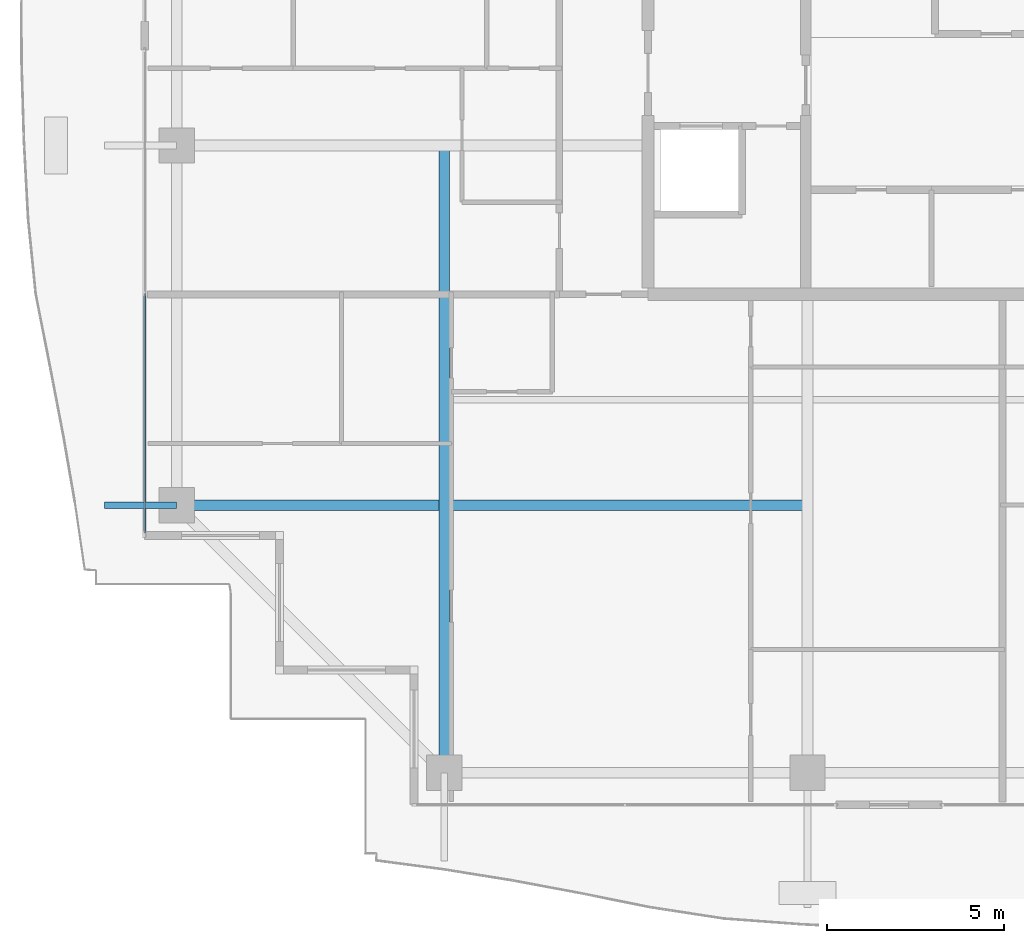
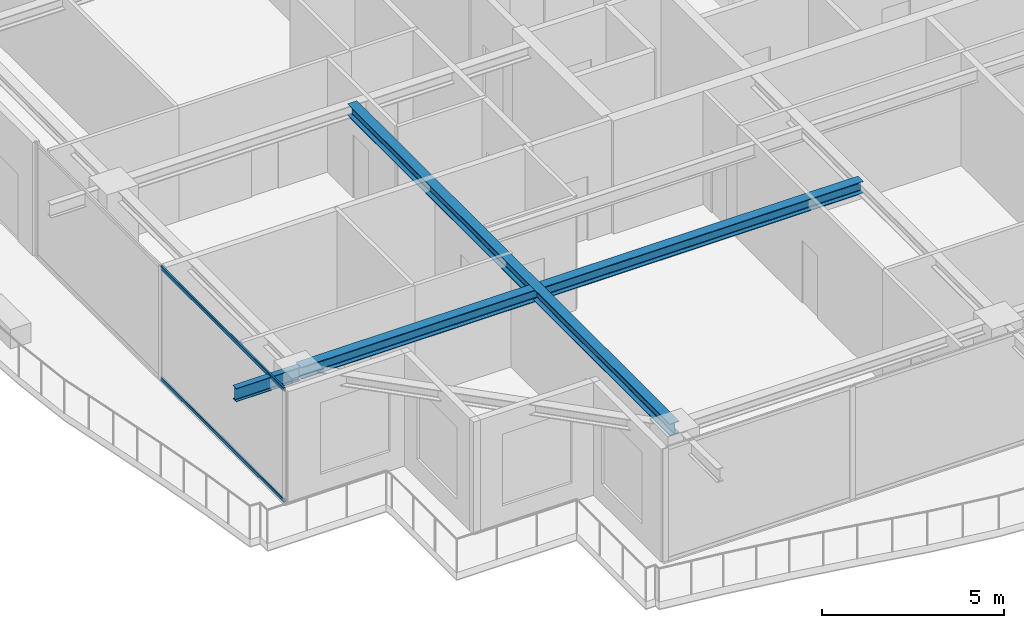
# One storey, part 3 of 38: 3 beams, 2 members, 1 element without a shape of its own.
"""IFC4 building model written with IfcOpenShell, lengths in metres."""

from ifc_helpers import new_model, si_unit, direction, frame, origin, origin_2d, place, context, subcontext, project, spatial, hollow_rectangle, i_section, extrude, source, transform, mapped, material, layer, layer_set, material_profile, profile_set, type_object, element, aggregate, save


model = new_model("IFC4")

# Units and contexts
model_context = context("Model", 3, precision=1e-05, world=origin(), true_north=direction((0.0, 1.0)))
body_context = subcontext(model_context, "Body", "Model", "MODEL_VIEW")
ifc_project = project(units=[si_unit("LENGTHUNIT", "METRE"), si_unit("AREAUNIT", "SQUARE_METRE"), si_unit("VOLUMEUNIT", "CUBIC_METRE"), si_unit("PLANEANGLEUNIT", "RADIAN"), si_unit("MASSUNIT", "GRAM", prefix="KILO")], contexts=[model_context])

# Site, building, storey
site_placement = place(None, origin())
site = spatial("IfcSite", under=ifc_project, at=site_placement, CompositionType="ELEMENT")
building_placement = place(site_placement, origin())
building = spatial("IfcBuilding", under=site, at=building_placement, Name="Serunith Strait Residences", CompositionType="ELEMENT")
storey_placement = place(building_placement, frame((0.0, 0.0, 321.800048828125)))
storey = spatial("IfcBuildingStorey", under=building, at=storey_placement, Name="L80", CompositionType="ELEMENT", Elevation=321.800048828125)

# Beams
ifc_material_1 = material(Name="Steel S355J2", Category="steel")
ifc_material_profile_1 = material_profile(ifc_material_1, i_section(OverallWidth=0.300048828125, OverallDepth=0.39990234375, WebThickness=0.013427734375, FlangeThickness=0.02392578125, FilletRadius=0.027099609375, at=origin_2d()), Name="HEB 400")
ifc_profile_set_1 = profile_set([ifc_material_profile_1], Name="Steel S355J2")
beam_type_1 = type_object("IfcBeamType", Name="BM-HEB400", PredefinedType="BEAM", material=ifc_profile_set_1)
shared_shape_1 = source(origin(), body_context, "Body", "SweptSolid", [
    extrude(i_section(OverallWidth=0.300048828125, OverallDepth=0.39990234375, WebThickness=0.013427734375, FlangeThickness=0.02392578125, FilletRadius=0.027099609375, at=origin_2d()), origin(), (0.0, 0.0, 1.0), 17.699951171875),
])
beam_1_placement = place(storey_placement, frame((17.64990234375, 21.0, 3.5869140625), z_axis=(0.0, -1.0, 0.0), x_axis=(1.0, 0.0, 0.0)))
element("IfcBeam", 1, at=beam_1_placement, inside=storey, type_object=beam_type_1, Name="L80 Orthogonal Corner Girder TC-S1", PredefinedType="BEAM", context=body_context, shape_type="MappedRepresentation", body=[
    mapped(shared_shape_1, transform((0.0, 0.0, 0.0), scale=1.0)),
])
shared_shape_2 = source(origin(), body_context, "Body", "SweptSolid", [
    extrude(i_section(OverallWidth=0.300048828125, OverallDepth=0.39990234375, WebThickness=0.013427734375, FlangeThickness=0.02392578125, FilletRadius=0.027099609375, at=origin_2d()), origin(), (0.0, 0.0, 1.0), 17.7998046875),
])
beam_2_placement = place(storey_placement, frame((27.89990234375, 10.85009765625, 3.5869140625), z_axis=(-1.0, 0.0, 0.0), x_axis=(0.0, -1.0, 0.0)))
element("IfcBeam", 2, at=beam_2_placement, inside=storey, type_object=beam_type_1, Name="L80 Orthogonal Corner Girder TC-W1", PredefinedType="BEAM", context=body_context, shape_type="MappedRepresentation", body=[
    mapped(shared_shape_2, transform((0.0, 0.0, 0.0), scale=1.0)),
])
ifc_material_profile_2 = material_profile(ifc_material_1, i_section(OverallWidth=0.18994140625, OverallDepth=0.449951171875, WebThickness=0.009521484375, FlangeThickness=0.0146484375, FilletRadius=0.02099609375, at=origin_2d()), Name="IPE 450")
ifc_profile_set_2 = profile_set([ifc_material_profile_2], Name="Steel S355J2")
beam_type_2 = type_object("IfcBeamType", Name="BM-IPE450", PredefinedType="JOIST", material=ifc_profile_set_2)
shared_shape_3 = source(origin(), body_context, "Body", "SweptSolid", [
    extrude(i_section(OverallWidth=0.18994140625, OverallDepth=0.449951171875, WebThickness=0.009521484375, FlangeThickness=0.0146484375, FilletRadius=0.02099609375, at=origin_2d()), origin(), (0.0, 0.0, 1.0), 2.030029296875),
])
beam_3_placement = place(storey_placement, frame((10.10009765625, 10.85009765625, 3.531982421875), z_axis=(-1.0, 0.0, 0.0), x_axis=(0.0, -1.0, 0.0)))
element("IfcBeam", 3, at=beam_3_placement, inside=storey, type_object=beam_type_2, Name="L81 Cantilevered Balcony Rib TC-W1", PredefinedType="JOIST", context=body_context, shape_type="MappedRepresentation", body=[
    mapped(shared_shape_3, transform((0.0, 0.0, 0.0), scale=1.0)),
])

# Curtain wall, members
ifc_material_2 = material(Name="Brushed Stainless-Silver Aluminium", Category="aluminium")
ifc_layer = layer(ifc_material_2, 0.199951171875, Name="Brushed Stainless-Silver Aluminium")
ifc_layer_set = layer_set([ifc_layer], Name="Brushed Stainless-Silver Aluminium")
curtain_wall_type = type_object("IfcCurtainWallType", Name="CW-SYS5", PredefinedType="NOTDEFINED", material=ifc_layer_set)
curtain_wall_placement = place(storey_placement, origin())
curtain_wall = element("IfcCurtainWall", 4, at=curtain_wall_placement, inside=storey, type_object=curtain_wall_type, Name="L80 W Unitised Fritted Curtain Wall", PredefinedType="NOTDEFINED")
ifc_material_profile_3 = material_profile(ifc_material_2, hollow_rectangle(XDim=0.06005859375, YDim=0.1201171875, WallThickness=0.00341796875, InnerFilletRadius=0.00537109375, OuterFilletRadius=0.0087890625, at=origin_2d()), Name="ALU 120x60x3.5")
ifc_profile_set_3 = profile_set([ifc_material_profile_3], Name="Brushed Stainless-Silver Aluminium")
member_type = type_object("IfcMemberType", Name="CW-SYS5-TRAN", PredefinedType="USERDEFINED", material=ifc_profile_set_3)
shared_shape_4 = source(origin(), body_context, "Body", "SweptSolid", [
    extrude(hollow_rectangle(XDim=0.06005859375, YDim=0.1201171875, WallThickness=0.00341796875, InnerFilletRadius=0.00537109375, OuterFilletRadius=0.0087890625, at=origin_2d()), origin(), (0.0, 0.0, 1.0), 6.75244140625),
])
member_1_placement = place(storey_placement, frame((9.199951171875, 16.8173828125, 0.030029296875), z_axis=(0.0, -1.0, 0.0), x_axis=(1.0, 0.0, 0.0)))
member_1 = element("IfcMember", 5, at=member_1_placement, type_object=member_type, Name="CW-5 transom 2.1", ObjectType="TRANSOM", PredefinedType="USERDEFINED", context=body_context, shape_type="MappedRepresentation", body=[
    mapped(shared_shape_4, transform((0.0, 0.0, 0.0), scale=1.0)),
])
member_2_placement = place(storey_placement, frame((9.199951171875, 16.8173828125, 3.744873046875), z_axis=(0.0, -1.0, 0.0), x_axis=(1.0, 0.0, 0.0)))
member_2 = element("IfcMember", 6, at=member_2_placement, type_object=member_type, Name="CW-5 transom 2.2", ObjectType="TRANSOM", PredefinedType="USERDEFINED", context=body_context, shape_type="MappedRepresentation", body=[
    mapped(shared_shape_4, transform((0.0, 0.0, 0.0), scale=1.0)),
])
aggregate(curtain_wall, [member_1, member_2])

save(model, "model.ifc")
